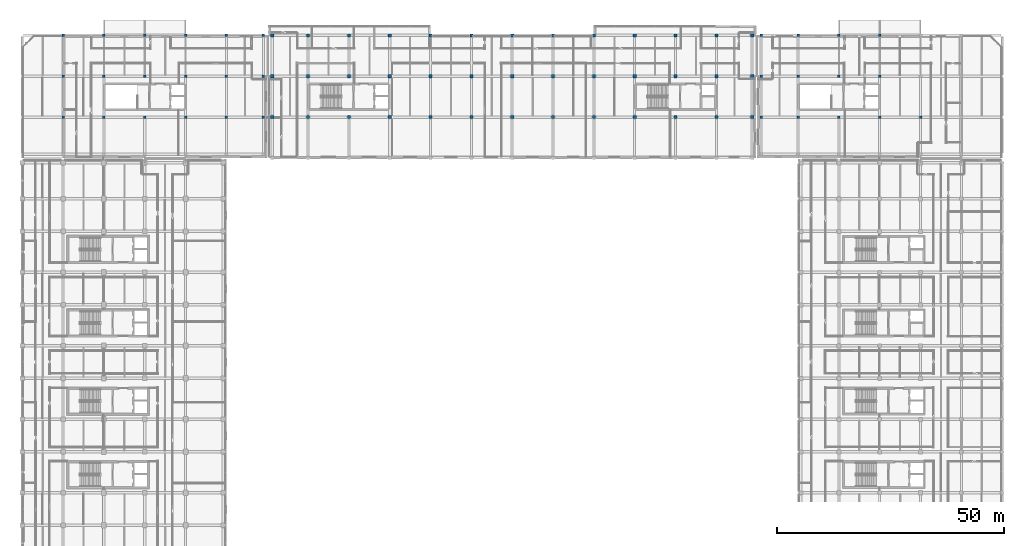
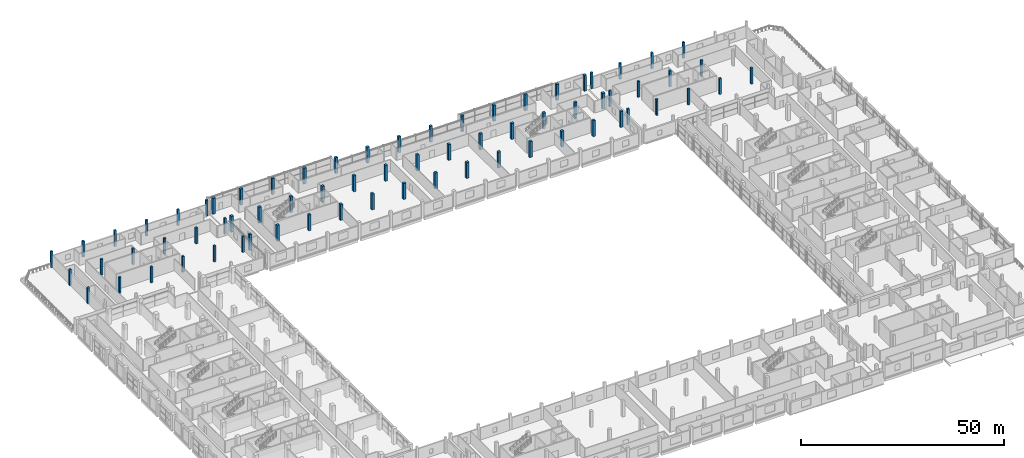
# One storey, part 3 of 111: 70 columns.
"""IFC4 building model written with IfcOpenShell, lengths in metres."""

from ifc_helpers import new_model, si_unit, direction, frame, origin, origin_2d, place, context, subcontext, project, spatial, rectangle, extrude, material, material_profile, profile_set, type_object, element, save


model = new_model("IFC4")

# Units and contexts
model_context = context("Model", 3, precision=1e-05, world=origin(), true_north=direction((0.0, 1.0)))
body_context = subcontext(model_context, "Body", "Model", "MODEL_VIEW")
ifc_project = project(units=[si_unit("LENGTHUNIT", "METRE"), si_unit("AREAUNIT", "SQUARE_METRE"), si_unit("VOLUMEUNIT", "CUBIC_METRE"), si_unit("PLANEANGLEUNIT", "RADIAN"), si_unit("MASSUNIT", "GRAM", prefix="KILO"), si_unit("THERMODYNAMICTEMPERATUREUNIT", "KELVIN"), si_unit("POWERUNIT", "WATT")], contexts=[model_context])

# Site, building, storey
site_placement = place(None, origin())
site = spatial("IfcSite", under=ifc_project, at=site_placement, CompositionType="ELEMENT")
building_placement = place(site_placement, origin())
building = spatial("IfcBuilding", under=site, at=building_placement, Name="Sindhuravela Promenade Stadium", CompositionType="ELEMENT")
storey_placement = place(building_placement, frame((0.0, 0.0, 9.60009765625)))
storey = spatial("IfcBuildingStorey", under=building, at=storey_placement, Name="L02", CompositionType="ELEMENT", Elevation=9.60009765625)

# Columns
ifc_material = material(Name="Concrete M40", Category="concrete")
ifc_material_profile_1 = material_profile(ifc_material, rectangle(XDim=0.550048828125, YDim=0.550048828125, at=origin_2d()), Name="RC 550x550")
ifc_profile_set_1 = profile_set([ifc_material_profile_1], Name="Concrete M40")
column_type_1 = type_object("IfcColumnType", Name="RC-CL-550x550", PredefinedType="COLUMN", material=ifc_profile_set_1)
for number, where, z_axis, x_axis, name in (
    (1, (9.0, 135.0, 0.0), (0.0, 0.0, 1.0), (1.0, 0.0, 0.0), "Column C18 Pavilion NW L02"),
    (2, (9.0, 144.0, 0.0), (0.0, 0.0, 1.0), (1.0, 0.0, 0.0), "Column C18 Pavilion NW L02"),
    (3, (9.0, 153.0, 0.0), (0.0, 0.0, 1.0), (1.0, 0.0, 0.0), "Column C18 Pavilion NW L02"),
    (4, (18.0, 135.0, 0.0), (0.0, 0.0, 1.0), (1.0, 0.0, 0.0), "Column C18 Pavilion NW L02"),
    (5, (18.0, 144.0, 0.0), (0.0, 0.0, 1.0), (1.0, 0.0, 0.0), "Column C18 Pavilion NW L02"),
    (6, (18.0, 153.0, 0.0), (0.0, 0.0, 1.0), (1.0, 0.0, 0.0), "Column C18 Pavilion NW L02"),
    (7, (27.0, 135.0, 0.0), (0.0, 0.0, 1.0), (1.0, 0.0, 0.0), "Column C18 Pavilion NW L02"),
    (8, (27.0, 144.0, 0.0), (0.0, 0.0, 1.0), (1.0, 0.0, 0.0), "Column C18 Pavilion NW L02"),
    (9, (27.0, 153.0, 0.0), (0.0, 0.0, 1.0), (1.0, 0.0, 0.0), "Column C18 Pavilion NW L02"),
    (10, (36.0, 135.0, 0.0), (0.0, 0.0, 1.0), (1.0, 0.0, 0.0), "Column C18 Pavilion NW L02"),
    (11, (36.0, 144.0, 0.0), (0.0, 0.0, 1.0), (1.0, 0.0, 0.0), "Column C18 Pavilion NW L02"),
    (12, (36.0, 153.0, 0.0), (0.0, 0.0, 1.0), (1.0, 0.0, 0.0), "Column C18 Pavilion NW L02"),
    (13, (45.0, 135.0, 0.0), (0.0, 0.0, 1.0), (1.0, 0.0, 0.0), "Column C18 Pavilion NW L02"),
    (14, (45.0, 144.0, 0.0), (0.0, 0.0, 1.0), (1.0, 0.0, 0.0), "Column C18 Pavilion NW L02"),
    (15, (45.0, 153.0, 0.0), (0.0, 0.0, 1.0), (1.0, 0.0, 0.0), "Column C18 Pavilion NW L02"),
    (16, (53.14990234375, 135.0, 0.0), (0.0, 0.0, 1.0), (1.0, 0.0, 0.0), "Column C18 Pavilion NW L02"),
    (17, (53.14990234375, 144.0, 0.0), (0.0, 0.0, 1.0), (1.0, 0.0, 0.0), "Column C18 Pavilion NW L02"),
    (18, (53.14990234375, 153.0, 0.0), (0.0, 0.0, 1.0), (1.0, 0.0, 0.0), "Column C18 Pavilion NW L02"),
    (19, (162.85009765625, 135.0, 0.0), (0.0, 0.0, 1.0), (1.0, 0.0, 0.0), "Column C18 Pavilion NE L02"),
    (20, (162.85009765625, 144.0, 0.0), (0.0, 0.0, 1.0), (1.0, 0.0, 0.0), "Column C18 Pavilion NE L02"),
    (21, (162.85009765625, 153.0, 0.0), (0.0, 0.0, 1.0), (1.0, 0.0, 0.0), "Column C18 Pavilion NE L02"),
    (22, (171.0, 135.0, 0.0), (0.0, 0.0, 1.0), (1.0, 0.0, 0.0), "Column C18 Pavilion NE L02"),
    (23, (171.0, 144.0, 0.0), (0.0, 0.0, 1.0), (1.0, 0.0, 0.0), "Column C18 Pavilion NE L02"),
    (24, (171.0, 153.0, 0.0), (0.0, 0.0, 1.0), (1.0, 0.0, 0.0), "Column C18 Pavilion NE L02"),
    (25, (180.0, 135.0, 0.0), (0.0, 0.0, 1.0), (1.0, 0.0, 0.0), "Column C18 Pavilion NE L02"),
    (26, (180.0, 144.0, 0.0), (0.0, 0.0, 1.0), (1.0, 0.0, 0.0), "Column C18 Pavilion NE L02"),
    (27, (180.0, 153.0, 0.0), (0.0, 0.0, 1.0), (1.0, 0.0, 0.0), "Column C18 Pavilion NE L02"),
    (28, (189.0, 135.0, 0.0), (0.0, 0.0, 1.0), (1.0, 0.0, 0.0), "Column C18 Pavilion NE L02"),
    (29, (189.0, 144.0, 0.0), (0.0, 0.0, 1.0), (1.0, 0.0, 0.0), "Column C18 Pavilion NE L02"),
    (30, (189.0, 153.0, 0.0), (0.0, 0.0, 1.0), (1.0, 0.0, 0.0), "Column C18 Pavilion NE L02"),
    (31, (198.0, 135.0, 0.0), (0.0, 0.0, 1.0), (1.0, 0.0, 0.0), "Column C18 Pavilion NE L02"),
):
    element("IfcColumn", number, at=place(storey_placement, frame(where, z_axis=z_axis, x_axis=x_axis)), inside=storey, type_object=column_type_1, Name=name, PredefinedType="COLUMN", context=body_context, shape_type="SweptSolid", body=[
        extrude(rectangle(XDim=0.550048828125, YDim=0.550048828125, at=origin_2d()), origin(), (0.0, 0.0, 1.0), 4.7998046875),
    ])
ifc_material_profile_2 = material_profile(ifc_material, rectangle(XDim=0.699951171875, YDim=0.699951171875, at=origin_2d()), Name="RC 700x700")
ifc_profile_set_2 = profile_set([ifc_material_profile_2], Name="Concrete M40")
column_type_2 = type_object("IfcColumnType", Name="RC-CL-700x700", PredefinedType="COLUMN", material=ifc_profile_set_2)
for number, where, z_axis, x_axis, name in (
    (32, (55.10009765625, 135.0, 0.0), (0.0, 0.0, 1.0), (1.0, 0.0, 0.0), "Column C14 NORTH L02"),
    (33, (55.10009765625, 144.0, 0.0), (0.0, 0.0, 1.0), (1.0, 0.0, 0.0), "Column C14 NORTH L02"),
    (34, (55.10009765625, 153.0, 0.0), (0.0, 0.0, 1.0), (1.0, 0.0, 0.0), "Column C14 NORTH L02"),
    (35, (63.0, 135.0, 0.0), (0.0, 0.0, 1.0), (1.0, 0.0, 0.0), "Column C14 NORTH L02"),
    (36, (63.0, 144.0, 0.0), (0.0, 0.0, 1.0), (1.0, 0.0, 0.0), "Column C14 NORTH L02"),
    (37, (63.0, 153.0, 0.0), (0.0, 0.0, 1.0), (1.0, 0.0, 0.0), "Column C14 NORTH L02"),
    (38, (72.0, 135.0, 0.0), (0.0, 0.0, 1.0), (1.0, 0.0, 0.0), "Column C14 NORTH L02"),
    (39, (72.0, 144.0, 0.0), (0.0, 0.0, 1.0), (1.0, 0.0, 0.0), "Column C14 NORTH L02"),
    (40, (72.0, 153.0, 0.0), (0.0, 0.0, 1.0), (1.0, 0.0, 0.0), "Column C14 NORTH L02"),
    (41, (81.0, 135.0, 0.0), (0.0, 0.0, 1.0), (1.0, 0.0, 0.0), "Column C14 NORTH L02"),
    (42, (81.0, 144.0, 0.0), (0.0, 0.0, 1.0), (1.0, 0.0, 0.0), "Column C14 NORTH L02"),
    (43, (81.0, 153.0, 0.0), (0.0, 0.0, 1.0), (1.0, 0.0, 0.0), "Column C14 NORTH L02"),
    (44, (90.0, 135.0, 0.0), (0.0, 0.0, 1.0), (1.0, 0.0, 0.0), "Column C14 NORTH L02"),
    (45, (90.0, 144.0, 0.0), (0.0, 0.0, 1.0), (1.0, 0.0, 0.0), "Column C14 NORTH L02"),
    (46, (90.0, 153.0, 0.0), (0.0, 0.0, 1.0), (1.0, 0.0, 0.0), "Column C14 NORTH L02"),
    (47, (99.0, 135.0, 0.0), (0.0, 0.0, 1.0), (1.0, 0.0, 0.0), "Column C14 NORTH L02"),
    (48, (99.0, 144.0, 0.0), (0.0, 0.0, 1.0), (1.0, 0.0, 0.0), "Column C14 NORTH L02"),
    (49, (99.0, 153.0, 0.0), (0.0, 0.0, 1.0), (1.0, 0.0, 0.0), "Column C14 NORTH L02"),
    (50, (108.0, 135.0, 0.0), (0.0, 0.0, 1.0), (1.0, 0.0, 0.0), "Column C14 NORTH L02"),
    (51, (108.0, 144.0, 0.0), (0.0, 0.0, 1.0), (1.0, 0.0, 0.0), "Column C14 NORTH L02"),
    (52, (108.0, 153.0, 0.0), (0.0, 0.0, 1.0), (1.0, 0.0, 0.0), "Column C14 NORTH L02"),
    (53, (117.0, 135.0, 0.0), (0.0, 0.0, 1.0), (1.0, 0.0, 0.0), "Column C14 NORTH L02"),
    (54, (117.0, 144.0, 0.0), (0.0, 0.0, 1.0), (1.0, 0.0, 0.0), "Column C14 NORTH L02"),
    (55, (117.0, 153.0, 0.0), (0.0, 0.0, 1.0), (1.0, 0.0, 0.0), "Column C14 NORTH L02"),
    (56, (126.0, 135.0, 0.0), (0.0, 0.0, 1.0), (1.0, 0.0, 0.0), "Column C14 NORTH L02"),
    (57, (126.0, 144.0, 0.0), (0.0, 0.0, 1.0), (1.0, 0.0, 0.0), "Column C14 NORTH L02"),
    (58, (126.0, 153.0, 0.0), (0.0, 0.0, 1.0), (1.0, 0.0, 0.0), "Column C14 NORTH L02"),
    (59, (135.0, 135.0, 0.0), (0.0, 0.0, 1.0), (1.0, 0.0, 0.0), "Column C14 NORTH L02"),
    (60, (135.0, 144.0, 0.0), (0.0, 0.0, 1.0), (1.0, 0.0, 0.0), "Column C14 NORTH L02"),
    (61, (135.0, 153.0, 0.0), (0.0, 0.0, 1.0), (1.0, 0.0, 0.0), "Column C14 NORTH L02"),
    (62, (144.0, 135.0, 0.0), (0.0, 0.0, 1.0), (1.0, 0.0, 0.0), "Column C14 NORTH L02"),
    (63, (144.0, 144.0, 0.0), (0.0, 0.0, 1.0), (1.0, 0.0, 0.0), "Column C14 NORTH L02"),
    (64, (144.0, 153.0, 0.0), (0.0, 0.0, 1.0), (1.0, 0.0, 0.0), "Column C14 NORTH L02"),
    (65, (153.0, 135.0, 0.0), (0.0, 0.0, 1.0), (1.0, 0.0, 0.0), "Column C14 NORTH L02"),
    (66, (153.0, 144.0, 0.0), (0.0, 0.0, 1.0), (1.0, 0.0, 0.0), "Column C14 NORTH L02"),
    (67, (153.0, 153.0, 0.0), (0.0, 0.0, 1.0), (1.0, 0.0, 0.0), "Column C14 NORTH L02"),
    (68, (160.89990234375, 135.0, 0.0), (0.0, 0.0, 1.0), (1.0, 0.0, 0.0), "Column C14 NORTH L02"),
    (69, (160.89990234375, 144.0, 0.0), (0.0, 0.0, 1.0), (1.0, 0.0, 0.0), "Column C14 NORTH L02"),
    (70, (160.89990234375, 153.0, 0.0), (0.0, 0.0, 1.0), (1.0, 0.0, 0.0), "Column C14 NORTH L02"),
):
    element("IfcColumn", number, at=place(storey_placement, frame(where, z_axis=z_axis, x_axis=x_axis)), inside=storey, type_object=column_type_2, Name=name, PredefinedType="COLUMN", context=body_context, shape_type="SweptSolid", body=[
        extrude(rectangle(XDim=0.699951171875, YDim=0.699951171875, at=origin_2d()), origin(), (0.0, 0.0, 1.0), 4.7998046875),
    ])

save(model, "model.ifc")
